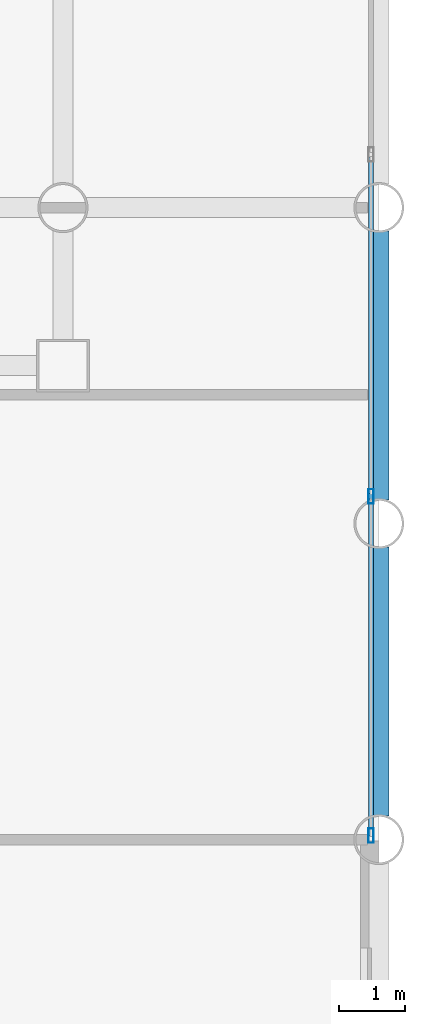
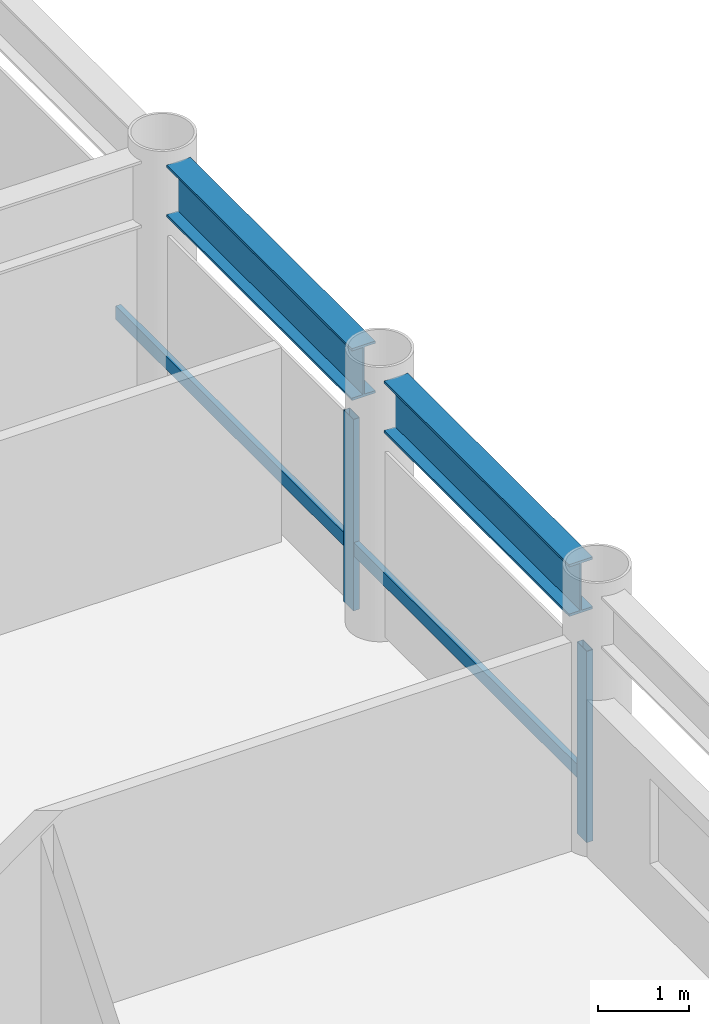
# One storey, part 8 of 22: 4 members, 2 beams, 1 element without a shape of its own.
"""IFC4 building model written with IfcOpenShell, lengths in metres."""

from ifc_helpers import new_model, si_unit, direction, frame, origin, origin_2d, place, context, subcontext, project, spatial, hollow_rectangle, i_section, extrude, material, layer, layer_set, material_profile, profile_set, type_object, element, aggregate, save


model = new_model("IFC4")

# Units and contexts
model_context = context("Model", 3, precision=1e-05, world=origin(), true_north=direction((0.0, 1.0)))
body_context = subcontext(model_context, "Body", "Model", "MODEL_VIEW")
ifc_project = project(units=[si_unit("LENGTHUNIT", "METRE"), si_unit("AREAUNIT", "SQUARE_METRE"), si_unit("VOLUMEUNIT", "CUBIC_METRE"), si_unit("PLANEANGLEUNIT", "RADIAN"), si_unit("MASSUNIT", "GRAM", prefix="KILO")], contexts=[model_context])

# Site, building, storey
site_placement = place(None, origin())
site = spatial("IfcSite", under=ifc_project, at=site_placement, CompositionType="ELEMENT")
building_placement = place(site_placement, origin())
building = spatial("IfcBuilding", under=site, at=building_placement, Name="Kallvorn Hotel Tower", CompositionType="ELEMENT")
storey_placement = place(building_placement, frame((0.0, 0.0, 33.699951171875)))
storey = spatial("IfcBuildingStorey", under=building, at=storey_placement, Name="L06", CompositionType="ELEMENT", Elevation=33.699951171875)

# Beams
ifc_material_1 = material(Name="Structural steel S355JR", Category="steel")
ifc_material_profile_1 = material_profile(ifc_material_1, i_section(OverallWidth=0.300048828125, OverallDepth=0.699951171875, WebThickness=0.01708984375, FlangeThickness=0.031982421875, at=origin_2d()), Name="HE 700 B")
ifc_profile_set_1 = profile_set([ifc_material_profile_1], Name="Structural steel S355JR")
beam_type = type_object("IfcBeamType", Name="BM_HE700B", PredefinedType="BEAM", material=ifc_profile_set_1)
beam_1_placement = place(storey_placement, frame((28.800048828125, 0.35595703125, 3.170166015625), z_axis=(0.0, 1.0, 0.0), x_axis=(-1.0, 0.0, 0.0)))
element("IfcBeam", 1, at=beam_1_placement, inside=storey, type_object=beam_type, Name="L07 Primary Y-Girder 147", PredefinedType="BEAM", context=body_context, shape_type="SweptSolid", body=[
    extrude(i_section(OverallWidth=0.300048828125, OverallDepth=0.699951171875, WebThickness=0.01708984375, FlangeThickness=0.031982421875, at=origin_2d()), origin(), (0.0, 0.0, 1.0), 4.088134765625),
])
beam_2_placement = place(storey_placement, frame((28.800048828125, 5.156005859375, 3.170166015625), z_axis=(0.0, 1.0, 0.0), x_axis=(-1.0, 0.0, 0.0)))
element("IfcBeam", 2, at=beam_2_placement, inside=storey, type_object=beam_type, Name="L07 Primary Y-Girder 148", PredefinedType="BEAM", context=body_context, shape_type="SweptSolid", body=[
    extrude(i_section(OverallWidth=0.300048828125, OverallDepth=0.699951171875, WebThickness=0.01708984375, FlangeThickness=0.031982421875, at=origin_2d()), origin(), (0.0, 0.0, 1.0), 4.087890625),
])

# Curtain wall, members
ifc_material_2 = material(Name="Thermally broken black-anodised aluminium AA 6063-T6", Category="aluminium")
ifc_layer = layer(ifc_material_2, 0.199951171875)
ifc_layer_set = layer_set([ifc_layer], Name="CW_SYS_3_HOTEL_LOW")
curtain_wall_type = type_object("IfcCurtainWallType", Name="CW_SYS_3_HOTEL_LOW", PredefinedType="USERDEFINED", material=ifc_layer_set)
curtain_wall_placement = place(storey_placement, origin())
curtain_wall = element("IfcCurtainWall", 3, at=curtain_wall_placement, inside=storey, type_object=curtain_wall_type, Name="L06 Dark-Glass Curtain Wall CW-L06-EN", ObjectType="UNITISED CURTAIN WALL", PredefinedType="USERDEFINED")
ifc_material_3 = material(Name="Thermally broken black-anodised aluminium AA 6063-T6", Category="aluminium")
ifc_material_profile_2 = material_profile(ifc_material_3, hollow_rectangle(XDim=0.080078125, YDim=0.219970703125, WallThickness=0.0048828125, at=origin_2d()), Name="MUL 220x80")
ifc_profile_set_2 = profile_set([ifc_material_profile_2], Name="Thermally broken black-anodised aluminium AA 6063-T6")
member_type_1 = type_object("IfcMemberType", Name="CW_MULLION_220x80", PredefinedType="MULLION", material=ifc_profile_set_2)
member_1_placement = place(storey_placement, frame((28.679931640625, 0.06005859375, 0.02001953125), z_axis=(0.0, 0.0, 1.0), x_axis=(1.0, 0.0, 0.0)))
member_1 = element("IfcMember", 4, at=member_1_placement, type_object=member_type_1, Name="CW-L06-EN Mullion 00", PredefinedType="MULLION", context=body_context, shape_type="SweptSolid", body=[
    extrude(hollow_rectangle(XDim=0.080078125, YDim=0.219970703125, WallThickness=0.0048828125, at=origin_2d()), origin(), (0.0, 0.0, 1.0), 2.580078125),
])
member_2_placement = place(storey_placement, frame((28.679931640625, 5.21337890625, 0.02001953125), z_axis=(0.0, 0.0, 1.0), x_axis=(1.0, 0.0, 0.0)))
member_2 = element("IfcMember", 5, at=member_2_placement, type_object=member_type_1, Name="CW-L06-EN Mullion 01", PredefinedType="MULLION", context=body_context, shape_type="SweptSolid", body=[
    extrude(hollow_rectangle(XDim=0.080078125, YDim=0.219970703125, WallThickness=0.0048828125, at=origin_2d()), origin(), (0.0, 0.0, 1.0), 2.580078125),
])
ifc_material_4 = material(Name="Thermally broken black-anodised aluminium AA 6063-T6", Category="aluminium")
ifc_material_profile_3 = material_profile(ifc_material_4, hollow_rectangle(XDim=0.070068359375, YDim=0.179931640625, WallThickness=0.00390625, at=origin_2d()), Name="TRN 180x70")
ifc_profile_set_3 = profile_set([ifc_material_profile_3], Name="Thermally broken black-anodised aluminium AA 6063-T6")
member_type_2 = type_object("IfcMemberType", Name="CW_TRANSOM_180x70", PredefinedType="USERDEFINED", material=ifc_profile_set_3)
member_3_placement = place(storey_placement, frame((28.679931640625, 0.06005859375, 0.85009765625), z_axis=(0.0, 1.0, 0.0), x_axis=(-1.0, 0.0, 0.0)))
member_3 = element("IfcMember", 6, at=member_3_placement, type_object=member_type_2, Name="CW-L06-EN Transom 00M", ObjectType="TRANSOM", PredefinedType="USERDEFINED", context=body_context, shape_type="SweptSolid", body=[
    extrude(hollow_rectangle(XDim=0.070068359375, YDim=0.179931640625, WallThickness=0.00390625, at=origin_2d()), origin(), (0.0, 0.0, 1.0), 5.11328125),
])
member_4_placement = place(storey_placement, frame((28.679931640625, 5.25341796875, 0.85009765625), z_axis=(0.0, 1.0, 0.0), x_axis=(-1.0, 0.0, 0.0)))
member_4 = element("IfcMember", 7, at=member_4_placement, type_object=member_type_2, Name="CW-L06-EN Transom 01M", ObjectType="TRANSOM", PredefinedType="USERDEFINED", context=body_context, shape_type="SweptSolid", body=[
    extrude(hollow_rectangle(XDim=0.070068359375, YDim=0.179931640625, WallThickness=0.00390625, at=origin_2d()), origin(), (0.0, 0.0, 1.0), 5.11328125),
])
aggregate(curtain_wall, [member_1, member_2, member_3, member_4])

save(model, "model.ifc")
